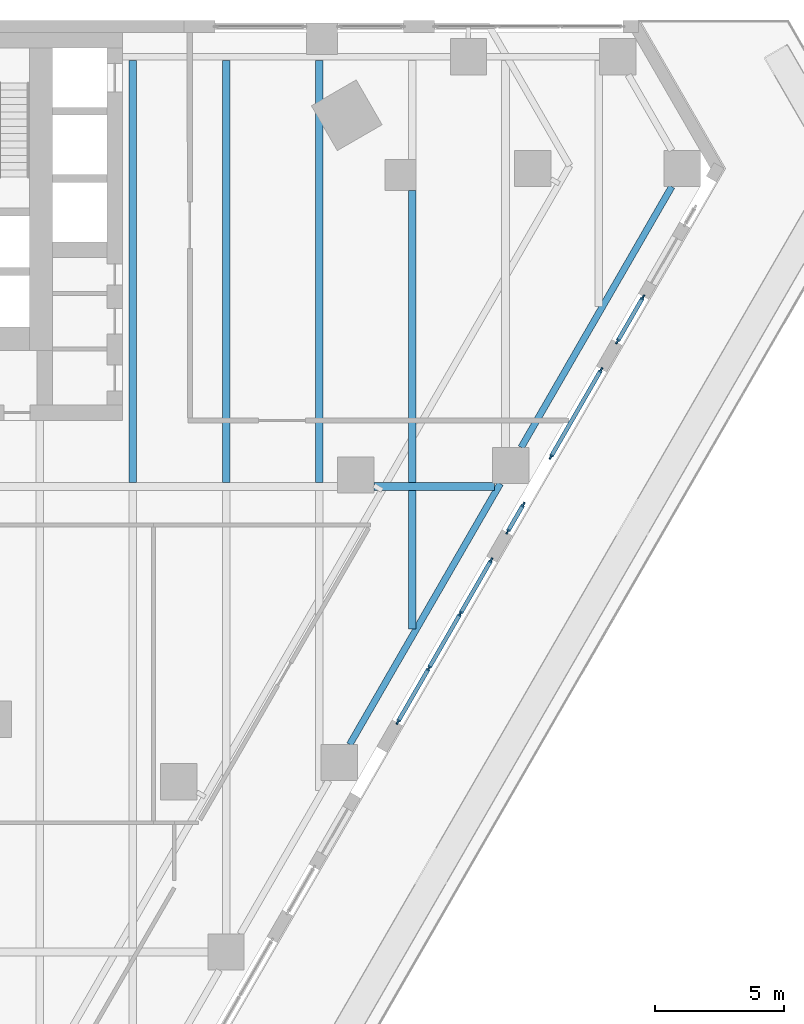
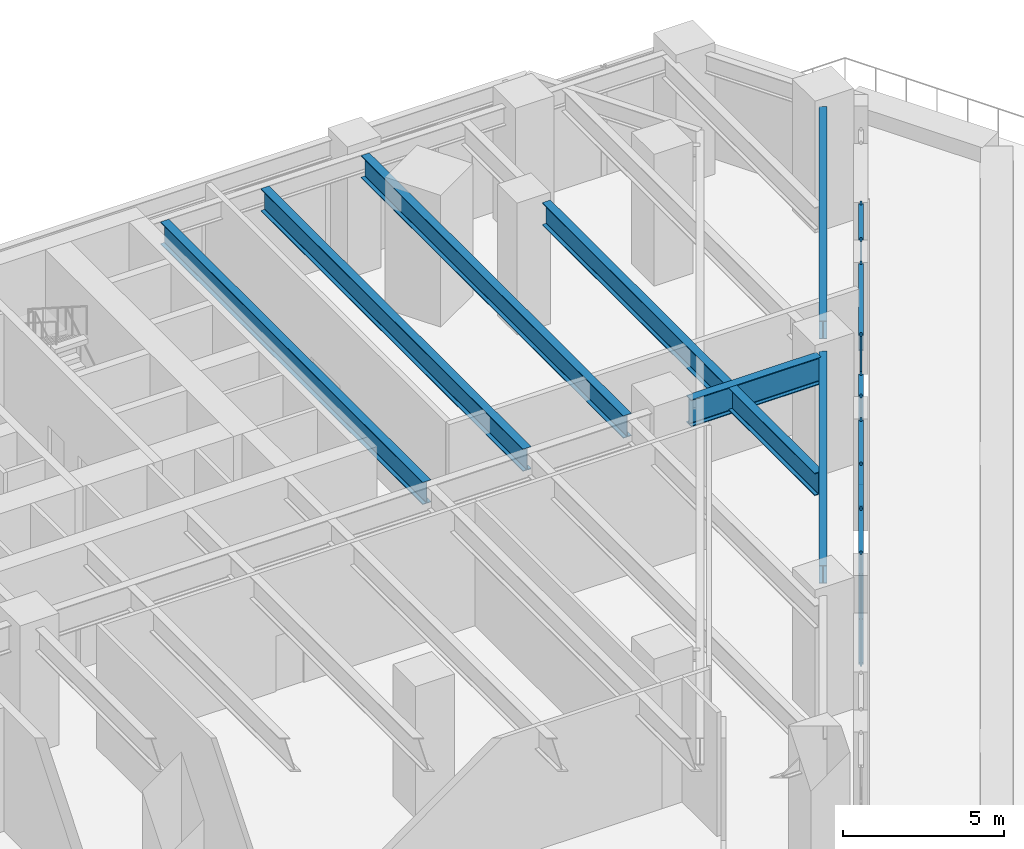
# One storey, part 11 of 31: 22 members, 8 beams, 4 elements without a shape of their own.
"""IFC4 building model written with IfcOpenShell, lengths in metres."""

from ifc_helpers import new_model, si_unit, direction, frame, origin, origin_2d, place, context, subcontext, project, spatial, rectangle, i_section, extrude, material, material_profile, profile_set, type_object, element, aggregate, save


model = new_model("IFC4")

# Units and contexts
model_context = context("Model", 3, precision=1e-05, world=origin(), true_north=direction((0.0, 1.0)))
body_context = subcontext(model_context, "Body", "Model", "MODEL_VIEW")
ifc_project = project(units=[si_unit("LENGTHUNIT", "METRE"), si_unit("AREAUNIT", "SQUARE_METRE"), si_unit("VOLUMEUNIT", "CUBIC_METRE"), si_unit("PLANEANGLEUNIT", "RADIAN"), si_unit("MASSUNIT", "GRAM", prefix="KILO")], contexts=[model_context])

# Site, building, storey
site_placement = place(None, origin())
site = spatial("IfcSite", under=ifc_project, at=site_placement, CompositionType="ELEMENT")
building_placement = place(site_placement, origin())
building = spatial("IfcBuilding", under=site, at=building_placement, Name="Aloe Facet Convention Tower", CompositionType="ELEMENT")
storey_placement = place(building_placement, frame((0.0, 0.0, 25.0)))
storey = spatial("IfcBuildingStorey", under=building, at=storey_placement, Name="L04", CompositionType="ELEMENT", Elevation=25.0)

# Curtain wall, members
ifc_material_1 = material(Name="Aluminium, anodised", Category="aluminium")
curtain_wall_type = type_object("IfcCurtainWallType", Name="EV-CW-HALL", PredefinedType="USERDEFINED", material=ifc_material_1)
curtain_wall_1_placement = place(storey_placement, origin())
curtain_wall_1 = element("IfcCurtainWall", 1, at=curtain_wall_1_placement, inside=storey, type_object=curtain_wall_type, Name="CW-L04-E12", ObjectType="UNITISED HALL GLAZING", PredefinedType="USERDEFINED")
ifc_material_2 = material(Name="Aluminium, anodised", Category="aluminium")
ifc_material_profile_1 = material_profile(ifc_material_2, rectangle(XDim=0.06494140625, YDim=0.199951171875, at=origin_2d()), Name="AL 65x200")
ifc_profile_set_1 = profile_set([ifc_material_profile_1], Name="Aluminium, anodised")
member_type_1 = type_object("IfcMemberType", Name="EV-MULL-HALL", PredefinedType="MULLION", material=ifc_profile_set_1)
member_1_placement = place(storey_placement, frame((104.63818359375, 107.895263671875, -0.25), z_axis=(0.0, 0.0, 1.0), x_axis=(-0.866025403758, 0.500000000045, 0.0)))
member_1 = element("IfcMember", 2, at=member_1_placement, type_object=member_type_1, Name="CW-L04-E12 mullion 1", PredefinedType="MULLION", context=body_context, shape_type="SweptSolid", body=[
    extrude(rectangle(XDim=0.06494140625, YDim=0.199951171875, at=origin_2d()), origin(), (0.0, 0.0, 1.0), 4.262451171875),
])
member_2_placement = place(storey_placement, frame((105.83642578125, 109.970703125, -0.25), z_axis=(0.0, 0.0, 1.0), x_axis=(-0.866025403758, 0.500000000045, 0.0)))
member_2 = element("IfcMember", 3, at=member_2_placement, type_object=member_type_1, Name="CW-L04-E12 mullion 2", PredefinedType="MULLION", context=body_context, shape_type="SweptSolid", body=[
    extrude(rectangle(XDim=0.06494140625, YDim=0.199951171875, at=origin_2d()), origin(), (0.0, 0.0, 1.0), 4.262451171875),
])
member_3_placement = place(storey_placement, frame((107.051025390625, 112.07421875, -0.25), z_axis=(0.0, 0.0, 1.0), x_axis=(-0.866025403758, 0.500000000045, 0.0)))
member_3 = element("IfcMember", 4, at=member_3_placement, type_object=member_type_1, Name="CW-L04-E12 mullion 3", PredefinedType="MULLION", context=body_context, shape_type="SweptSolid", body=[
    extrude(rectangle(XDim=0.06494140625, YDim=0.199951171875, at=origin_2d()), origin(), (0.0, 0.0, 1.0), 4.262451171875),
])
member_4_placement = place(storey_placement, frame((108.249267578125, 114.1494140625, -0.25), z_axis=(0.0, 0.0, 1.0), x_axis=(-0.866025403758, 0.500000000045, 0.0)))
member_4 = element("IfcMember", 5, at=member_4_placement, type_object=member_type_1, Name="CW-L04-E12 mullion 4", PredefinedType="MULLION", context=body_context, shape_type="SweptSolid", body=[
    extrude(rectangle(XDim=0.06494140625, YDim=0.199951171875, at=origin_2d()), origin(), (0.0, 0.0, 1.0), 4.262451171875),
])

curtain_wall_2_placement = place(storey_placement, origin())
curtain_wall_2 = element("IfcCurtainWall", 6, at=curtain_wall_2_placement, inside=storey, type_object=curtain_wall_type, Name="CW-L04-E14-1", ObjectType="UNITISED HALL GLAZING", PredefinedType="USERDEFINED")
member_5_placement = place(storey_placement, frame((108.881591796875, 115.2451171875, -0.25), z_axis=(0.0, 0.0, 1.0), x_axis=(-0.866025403671, 0.500000000196, 0.0)))
member_5 = element("IfcMember", 7, at=member_5_placement, type_object=member_type_1, Name="CW-L04-E14-1 mullion 1", PredefinedType="MULLION", context=body_context, shape_type="SweptSolid", body=[
    extrude(rectangle(XDim=0.06494140625, YDim=0.199951171875, at=origin_2d()), origin(), (0.0, 0.0, 1.0), 4.262451171875),
])
member_6_placement = place(storey_placement, frame((109.491943359375, 116.30224609375, -0.25), z_axis=(0.0, 0.0, 1.0), x_axis=(-0.866025403671, 0.500000000196, 0.0)))
member_6 = element("IfcMember", 8, at=member_6_placement, type_object=member_type_1, Name="CW-L04-E14-1 mullion 2", PredefinedType="MULLION", context=body_context, shape_type="SweptSolid", body=[
    extrude(rectangle(XDim=0.06494140625, YDim=0.199951171875, at=origin_2d()), origin(), (0.0, 0.0, 1.0), 4.262451171875),
])

curtain_wall_3_placement = place(storey_placement, origin())
curtain_wall_3 = element("IfcCurtainWall", 9, at=curtain_wall_3_placement, inside=storey, type_object=curtain_wall_type, Name="CW-L04-E14-2", ObjectType="UNITISED HALL GLAZING", PredefinedType="USERDEFINED")
member_7_placement = place(storey_placement, frame((110.549072265625, 118.133056640625, -0.25), z_axis=(0.0, 0.0, 1.0), x_axis=(-0.866025403741, 0.500000000076, 0.0)))
member_7 = element("IfcMember", 10, at=member_7_placement, type_object=member_type_1, Name="CW-L04-E14-2 mullion 1", PredefinedType="MULLION", context=body_context, shape_type="SweptSolid", body=[
    extrude(rectangle(XDim=0.06494140625, YDim=0.199951171875, at=origin_2d()), origin(), (0.0, 0.0, 1.0), 4.262451171875),
])
member_8_placement = place(storey_placement, frame((112.492431640625, 121.499267578125, -0.25), z_axis=(0.0, 0.0, 1.0), x_axis=(-0.866025403741, 0.500000000076, 0.0)))
member_8 = element("IfcMember", 11, at=member_8_placement, type_object=member_type_1, Name="CW-L04-E14-2 mullion 2", PredefinedType="MULLION", context=body_context, shape_type="SweptSolid", body=[
    extrude(rectangle(XDim=0.06494140625, YDim=0.199951171875, at=origin_2d()), origin(), (0.0, 0.0, 1.0), 4.262451171875),
])

curtain_wall_4_placement = place(storey_placement, origin())
curtain_wall_4 = element("IfcCurtainWall", 12, at=curtain_wall_4_placement, inside=storey, type_object=curtain_wall_type, Name="CW-L04-E16A", ObjectType="UNITISED HALL GLAZING", PredefinedType="USERDEFINED")
member_9_placement = place(storey_placement, frame((113.125, 122.5947265625, -0.25), z_axis=(0.0, 0.0, 1.0), x_axis=(-0.866025403854, 0.499999999879, 0.0)))
member_9 = element("IfcMember", 13, at=member_9_placement, type_object=member_type_1, Name="CW-L04-E16A mullion 1", PredefinedType="MULLION", context=body_context, shape_type="SweptSolid", body=[
    extrude(rectangle(XDim=0.06494140625, YDim=0.199951171875, at=origin_2d()), origin(), (0.0, 0.0, 1.0), 4.262451171875),
])
member_10_placement = place(storey_placement, frame((114.1142578125, 124.30810546875, -0.25), z_axis=(0.0, 0.0, 1.0), x_axis=(-0.866025403854, 0.499999999879, 0.0)))
member_10 = element("IfcMember", 14, at=member_10_placement, type_object=member_type_1, Name="CW-L04-E16A mullion 2", PredefinedType="MULLION", context=body_context, shape_type="SweptSolid", body=[
    extrude(rectangle(XDim=0.06494140625, YDim=0.199951171875, at=origin_2d()), origin(), (0.0, 0.0, 1.0), 4.262451171875),
])

# Member
ifc_material_3 = material(Name="Aluminium, anodised", Category="aluminium")
ifc_material_profile_2 = material_profile(ifc_material_3, rectangle(XDim=0.159912109375, YDim=0.06494140625, at=origin_2d()), Name="AL 160x65")
ifc_profile_set_2 = profile_set([ifc_material_profile_2], Name="Aluminium, anodised")
member_type_2 = type_object("IfcMemberType", Name="EV-TRAN-HALL", PredefinedType="USERDEFINED", material=ifc_profile_set_2)
member_11_placement = place(storey_placement, frame((104.654541015625, 107.92333984375, -0.217529296875), z_axis=(0.500024603663, 0.866011198387, 0.0), x_axis=(-0.866011198387, 0.500024603663, 0.0)))
member_11 = element("IfcMember", 15, at=member_11_placement, type_object=member_type_2, Name="CW-L04-E12 transom 1.1", ObjectType="TRANSOM", PredefinedType="USERDEFINED", context=body_context, shape_type="SweptSolid", body=[
    extrude(rectangle(XDim=0.159912109375, YDim=0.06494140625, at=origin_2d()), origin(), (0.0, 0.0, 1.0), 2.33154296875),
])

member_12_placement = place(storey_placement, frame((104.654541015625, 107.92333984375, 3.97998046875), z_axis=(0.500024603663, 0.866011198387, 0.0), x_axis=(-0.866011198387, 0.500024603663, 0.0)))
member_12 = element("IfcMember", 16, at=member_12_placement, type_object=member_type_2, Name="CW-L04-E12 transom 1.2", ObjectType="TRANSOM", PredefinedType="USERDEFINED", context=body_context, shape_type="SweptSolid", body=[
    extrude(rectangle(XDim=0.159912109375, YDim=0.06494140625, at=origin_2d()), origin(), (0.0, 0.0, 1.0), 2.33154296875),
])

member_13_placement = place(storey_placement, frame((105.852783203125, 109.998779296875, -0.217529296875), z_axis=(0.49999364752, 0.86602907136, 0.0), x_axis=(-0.86602907136, 0.49999364752, 0.0)))
member_13 = element("IfcMember", 17, at=member_13_placement, type_object=member_type_2, Name="CW-L04-E12 transom 2.1", ObjectType="TRANSOM", PredefinedType="USERDEFINED", context=body_context, shape_type="SweptSolid", body=[
    extrude(rectangle(XDim=0.159912109375, YDim=0.06494140625, at=origin_2d()), origin(), (0.0, 0.0, 1.0), 2.36376953125),
])

member_14_placement = place(storey_placement, frame((105.852783203125, 109.998779296875, 3.97998046875), z_axis=(0.49999364752, 0.86602907136, 0.0), x_axis=(-0.86602907136, 0.49999364752, 0.0)))
member_14 = element("IfcMember", 18, at=member_14_placement, type_object=member_type_2, Name="CW-L04-E12 transom 2.2", ObjectType="TRANSOM", PredefinedType="USERDEFINED", context=body_context, shape_type="SweptSolid", body=[
    extrude(rectangle(XDim=0.159912109375, YDim=0.06494140625, at=origin_2d()), origin(), (0.0, 0.0, 1.0), 2.36376953125),
])

member_15_placement = place(storey_placement, frame((107.067138671875, 112.102294921875, -0.217529296875), z_axis=(0.500024603663, 0.866011198387, 0.0), x_axis=(-0.866011198387, 0.500024603663, 0.0)))
member_15 = element("IfcMember", 19, at=member_15_placement, type_object=member_type_2, Name="CW-L04-E12 transom 3.1", ObjectType="TRANSOM", PredefinedType="USERDEFINED", context=body_context, shape_type="SweptSolid", body=[
    extrude(rectangle(XDim=0.159912109375, YDim=0.06494140625, at=origin_2d()), origin(), (0.0, 0.0, 1.0), 2.33154296875),
])

member_16_placement = place(storey_placement, frame((107.067138671875, 112.102294921875, 3.97998046875), z_axis=(0.500024603663, 0.866011198387, 0.0), x_axis=(-0.866011198387, 0.500024603663, 0.0)))
member_16 = element("IfcMember", 20, at=member_16_placement, type_object=member_type_2, Name="CW-L04-E12 transom 3.2", ObjectType="TRANSOM", PredefinedType="USERDEFINED", context=body_context, shape_type="SweptSolid", body=[
    extrude(rectangle(XDim=0.159912109375, YDim=0.06494140625, at=origin_2d()), origin(), (0.0, 0.0, 1.0), 2.33154296875),
])

aggregate(curtain_wall_1, [member_1, member_2, member_3, member_4, member_11, member_12, member_13, member_14, member_15, member_16])

member_17_placement = place(storey_placement, frame((108.89794921875, 115.273193359375, -0.217529296875), z_axis=(0.500069914133, 0.865985035078, 0.0), x_axis=(-0.865985035078, 0.500069914133, 0.0)))
member_17 = element("IfcMember", 21, at=member_17_placement, type_object=member_type_2, Name="CW-L04-E14-1 transom 1.1", ObjectType="TRANSOM", PredefinedType="USERDEFINED", context=body_context, shape_type="SweptSolid", body=[
    extrude(rectangle(XDim=0.159912109375, YDim=0.06494140625, at=origin_2d()), origin(), (0.0, 0.0, 1.0), 1.155517578125),
])

member_18_placement = place(storey_placement, frame((108.89794921875, 115.273193359375, 3.97998046875), z_axis=(0.500069914133, 0.865985035078, 0.0), x_axis=(-0.865985035078, 0.500069914133, 0.0)))
member_18 = element("IfcMember", 22, at=member_18_placement, type_object=member_type_2, Name="CW-L04-E14-1 transom 1.2", ObjectType="TRANSOM", PredefinedType="USERDEFINED", context=body_context, shape_type="SweptSolid", body=[
    extrude(rectangle(XDim=0.159912109375, YDim=0.06494140625, at=origin_2d()), origin(), (0.0, 0.0, 1.0), 1.155517578125),
])

aggregate(curtain_wall_2, [member_5, member_6, member_17, member_18])

member_19_placement = place(storey_placement, frame((110.565185546875, 118.1611328125, -0.217529296875), z_axis=(0.500013655634, 0.866017519557, 0.0), x_axis=(-0.866017519557, 0.500013655634, 0.0)))
member_19 = element("IfcMember", 23, at=member_19_placement, type_object=member_type_2, Name="CW-L04-E14-2 transom 1.1", ObjectType="TRANSOM", PredefinedType="USERDEFINED", context=body_context, shape_type="SweptSolid", body=[
    extrude(rectangle(XDim=0.159912109375, YDim=0.06494140625, at=origin_2d()), origin(), (0.0, 0.0, 1.0), 3.822265625),
])

member_20_placement = place(storey_placement, frame((110.565185546875, 118.1611328125, 3.97998046875), z_axis=(0.500013655634, 0.866017519557, 0.0), x_axis=(-0.866017519557, 0.500013655634, 0.0)))
member_20 = element("IfcMember", 24, at=member_20_placement, type_object=member_type_2, Name="CW-L04-E14-2 transom 1.2", ObjectType="TRANSOM", PredefinedType="USERDEFINED", context=body_context, shape_type="SweptSolid", body=[
    extrude(rectangle(XDim=0.159912109375, YDim=0.06494140625, at=origin_2d()), origin(), (0.0, 0.0, 1.0), 3.822265625),
])

aggregate(curtain_wall_3, [member_7, member_8, member_19, member_20])

member_21_placement = place(storey_placement, frame((113.141357421875, 122.622802734375, -0.217529296875), z_axis=(0.499899172072, 0.86608360899, 0.0), x_axis=(-0.86608360899, 0.499899172072, 0.0)))
member_21 = element("IfcMember", 25, at=member_21_placement, type_object=member_type_2, Name="CW-L04-E16A transom 1.1", ObjectType="TRANSOM", PredefinedType="USERDEFINED", context=body_context, shape_type="SweptSolid", body=[
    extrude(rectangle(XDim=0.159912109375, YDim=0.06494140625, at=origin_2d()), origin(), (0.0, 0.0, 1.0), 1.91357421875),
])

member_22_placement = place(storey_placement, frame((113.141357421875, 122.622802734375, 3.97998046875), z_axis=(0.499899172072, 0.86608360899, 0.0), x_axis=(-0.86608360899, 0.499899172072, 0.0)))
member_22 = element("IfcMember", 26, at=member_22_placement, type_object=member_type_2, Name="CW-L04-E16A transom 1.2", ObjectType="TRANSOM", PredefinedType="USERDEFINED", context=body_context, shape_type="SweptSolid", body=[
    extrude(rectangle(XDim=0.159912109375, YDim=0.06494140625, at=origin_2d()), origin(), (0.0, 0.0, 1.0), 1.91357421875),
])

aggregate(curtain_wall_4, [member_9, member_10, member_21, member_22])

# Beams
ifc_material_4 = material(Name="Steel S355", Category="steel")
ifc_material_profile_3 = material_profile(ifc_material_4, i_section(OverallWidth=0.305419921875, OverallDepth=1.02587890625, WebThickness=0.02001953125, FlangeThickness=0.031005859375, FilletRadius=0.030029296875, at=origin_2d()), Name="UB 1016x305x349")
ifc_profile_set_3 = profile_set([ifc_material_profile_3], Name="Steel S355")
beam_type_1 = type_object("IfcBeamType", Name="SF-B-UB1016x305x349", PredefinedType="BEAM", material=ifc_profile_set_3)
beam_1_placement = place(storey_placement, frame((103.716064453125, 117.0, 4.18701171875), z_axis=(1.0, 0.0, 0.0), x_axis=(0.0, 1.0, 0.0)))
element("IfcBeam", 27, at=beam_1_placement, inside=storey, type_object=beam_type_1, Name="Floor beam FB-L05-027", PredefinedType="BEAM", context=body_context, shape_type="SweptSolid", body=[
    extrude(i_section(OverallWidth=0.305419921875, OverallDepth=1.02587890625, WebThickness=0.02001953125, FlangeThickness=0.031005859375, FilletRadius=0.030029296875, at=origin_2d()), origin(), (0.0, 0.0, 1.0), 4.6650390625),
])
ifc_material_5 = material(Name="Steel S355", Category="steel")
ifc_material_profile_4 = material_profile(ifc_material_5, i_section(OverallWidth=0.25439453125, OverallDepth=0.6875, WebThickness=0.01318359375, FlangeThickness=0.02099609375, FilletRadius=0.01513671875, at=origin_2d()), Name="UB 686x254x152")
ifc_profile_set_4 = profile_set([ifc_material_profile_4], Name="Steel S355")
beam_type_2 = type_object("IfcBeamType", Name="SF-B-UB686x254x152", PredefinedType="BEAM", material=ifc_profile_set_4)
beam_2_placement = place(storey_placement, frame((108.5986328125, 117.10498046875, 4.356201171875), z_axis=(-0.499989964599, -0.866031197649, 0.0), x_axis=(0.866031197649, -0.499989964599, 0.0)))
element("IfcBeam", 28, at=beam_2_placement, inside=storey, type_object=beam_type_2, Name="Floor beam FB-L05-017", PredefinedType="BEAM", context=body_context, shape_type="SweptSolid", body=[
    extrude(i_section(OverallWidth=0.25439453125, OverallDepth=0.6875, WebThickness=0.01318359375, FlangeThickness=0.02099609375, FilletRadius=0.01513671875, at=origin_2d()), origin(), (0.0, 0.0, 1.0), 11.639404296875),
])
beam_3_placement = place(storey_placement, frame((115.22607421875, 128.583984375, 4.356201171875), z_axis=(-0.499994831492, -0.866028387804, 0.0), x_axis=(0.866028387804, -0.499994831492, 0.0)))
element("IfcBeam", 29, at=beam_3_placement, inside=storey, type_object=beam_type_2, Name="Floor beam FB-L05-019", PredefinedType="BEAM", context=body_context, shape_type="SweptSolid", body=[
    extrude(i_section(OverallWidth=0.25439453125, OverallDepth=0.6875, WebThickness=0.01318359375, FlangeThickness=0.02099609375, FilletRadius=0.01513671875, at=origin_2d()), origin(), (0.0, 0.0, 1.0), 11.63818359375),
])
ifc_material_6 = material(Name="Steel S355", Category="steel")
ifc_material_profile_5 = material_profile(ifc_material_6, i_section(OverallWidth=0.293701171875, OverallDepth=0.850830078125, WebThickness=0.01611328125, FlangeThickness=0.02685546875, FilletRadius=0.017822265625, at=origin_2d()), Name="UB 838x292x226")
ifc_profile_set_5 = profile_set([ifc_material_profile_5], Name="Steel S355")
beam_type_3 = type_object("IfcBeamType", Name="SF-B-UB838x292x226", PredefinedType="BEAM", material=ifc_profile_set_5)
for number, where, z_axis, x_axis, name in (
    (30, (94.39990234375, 117.152587890625, 4.2744140625), (0.0, 1.0, 0.0), (-1.0, 0.0, 0.0), "Floor beam FB-L05-072"),
    (31, (98.0, 117.152587890625, 4.2744140625), (0.0, 1.0, 0.0), (-1.0, 0.0, 0.0), "Floor beam FB-L05-074"),
    (32, (101.60009765625, 117.152587890625, 4.2744140625), (0.0, 1.0, 0.0), (-1.0, 0.0, 0.0), "Floor beam FB-L05-076"),
):
    element("IfcBeam", number, at=place(storey_placement, frame(where, z_axis=z_axis, x_axis=x_axis)), inside=storey, type_object=beam_type_3, Name=name, PredefinedType="BEAM", context=body_context, shape_type="SweptSolid", body=[
        extrude(i_section(OverallWidth=0.293701171875, OverallDepth=0.850830078125, WebThickness=0.01611328125, FlangeThickness=0.02685546875, FilletRadius=0.017822265625, at=origin_2d()), origin(), (0.0, 0.0, 1.0), 16.31005859375),
    ])
beam_4_placement = place(storey_placement, frame((105.199951171875, 111.482666015625, 4.2744140625), z_axis=(0.0, 1.0, 0.0), x_axis=(-1.0, 0.0, 0.0)))
element("IfcBeam", 33, at=beam_4_placement, inside=storey, type_object=beam_type_3, Name="Floor beam FB-L05-077", PredefinedType="BEAM", context=body_context, shape_type="SweptSolid", body=[
    extrude(i_section(OverallWidth=0.293701171875, OverallDepth=0.850830078125, WebThickness=0.01611328125, FlangeThickness=0.02685546875, FilletRadius=0.017822265625, at=origin_2d()), origin(), (0.0, 0.0, 1.0), 5.36474609375),
])
beam_5_placement = place(storey_placement, frame((105.199951171875, 117.152587890625, 4.2744140625), z_axis=(0.0, 1.0, 0.0), x_axis=(-1.0, 0.0, 0.0)))
element("IfcBeam", 34, at=beam_5_placement, inside=storey, type_object=beam_type_3, Name="Floor beam FB-L05-078", PredefinedType="BEAM", context=body_context, shape_type="SweptSolid", body=[
    extrude(i_section(OverallWidth=0.293701171875, OverallDepth=0.850830078125, WebThickness=0.01611328125, FlangeThickness=0.02685546875, FilletRadius=0.017822265625, at=origin_2d()), origin(), (0.0, 0.0, 1.0), 11.275390625),
])

save(model, "model.ifc")
